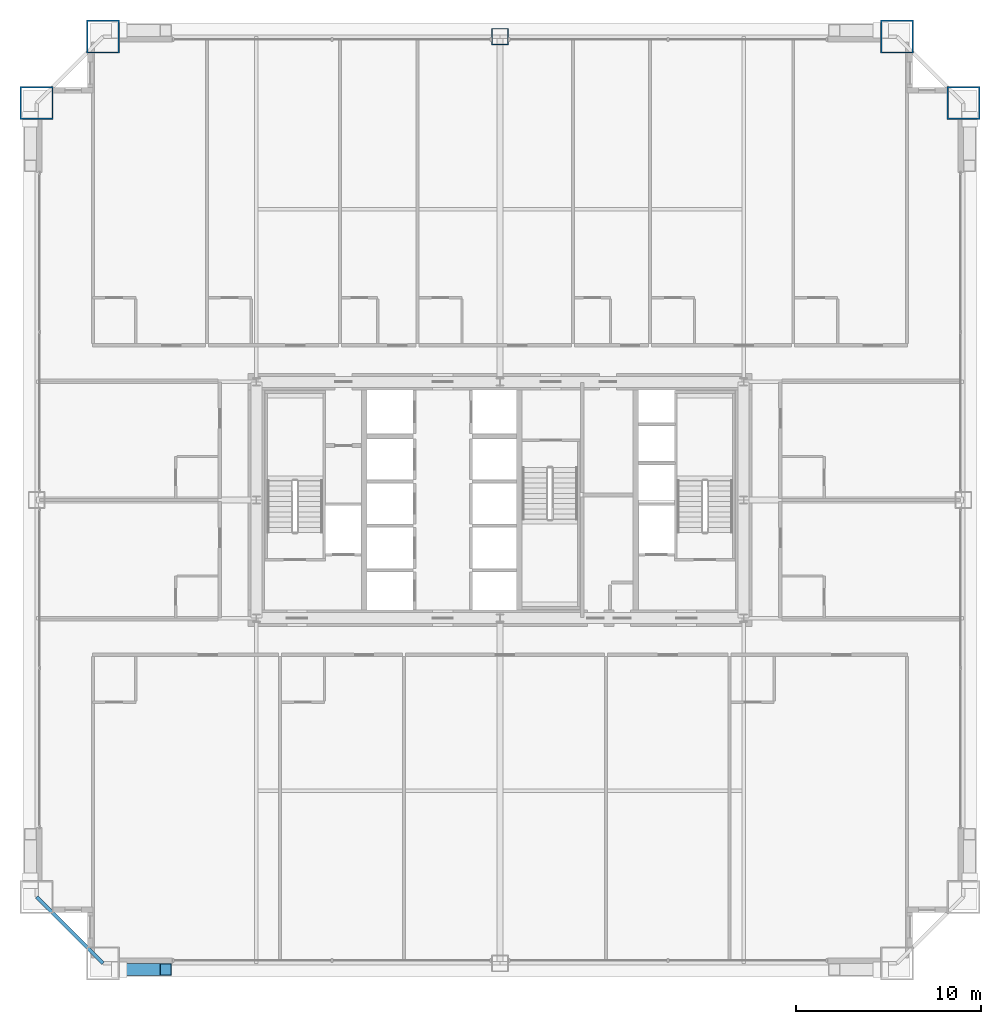
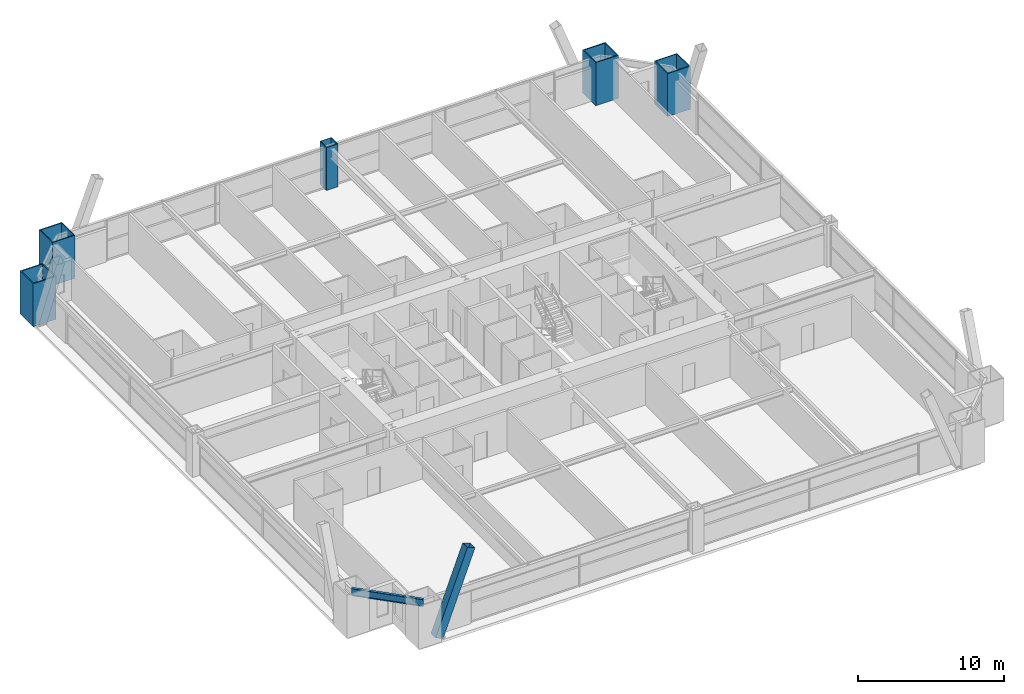
# One storey, part 2 of 43: 5 columns, 1 beam, 1 member.
"""IFC4 building model written with IfcOpenShell, lengths in metres."""

from ifc_helpers import new_model, si_unit, direction, frame, origin, origin_2d, place, context, subcontext, project, spatial, hollow_rectangle, i_section, extrude, source, transform, mapped, material, material_profile, profile_set, type_object, element, save


model = new_model("IFC4")

# Units and contexts
model_context = context("Model", 3, precision=1e-05, world=origin(), true_north=direction((0.0, 1.0)))
body_context = subcontext(model_context, "Body", "Model", "MODEL_VIEW")
ifc_project = project(units=[si_unit("LENGTHUNIT", "METRE"), si_unit("AREAUNIT", "SQUARE_METRE"), si_unit("VOLUMEUNIT", "CUBIC_METRE"), si_unit("PLANEANGLEUNIT", "RADIAN"), si_unit("MASSUNIT", "GRAM", prefix="KILO"), si_unit("THERMODYNAMICTEMPERATUREUNIT", "KELVIN"), si_unit("POWERUNIT", "WATT")], contexts=[model_context])

# Site, building, storey
site_placement = place(None, origin())
site = spatial("IfcSite", under=ifc_project, at=site_placement, CompositionType="ELEMENT")
building_placement = place(site_placement, origin())
building = spatial("IfcBuilding", under=site, at=building_placement, Name="Yuzanri Waterfront Tower", CompositionType="ELEMENT")
storey_placement = place(building_placement, frame((0.0, 0.0, 53.199951171875)))
storey = spatial("IfcBuildingStorey", under=building, at=storey_placement, Name="L13", CompositionType="ELEMENT", Elevation=53.199951171875)

# Columns
ifc_material_1 = material(Name="Steel Q420GJC", Category="steel")
ifc_material_profile_1 = material_profile(ifc_material_1, hollow_rectangle(XDim=1.800048828125, YDim=1.800048828125, WallThickness=0.080078125, at=origin_2d()), Name="RHS 1800x1800x80")
ifc_profile_set_1 = profile_set([ifc_material_profile_1], Name="Steel Q420GJC")
column_type_1 = type_object("IfcColumnType", Name="Mega Column Q420GJC RHS 1800x1800x80", PredefinedType="COLUMN", material=ifc_profile_set_1)
shared_shape_1 = source(origin(), body_context, "Body", "SweptSolid", [
    extrude(hollow_rectangle(XDim=1.800048828125, YDim=1.800048828125, WallThickness=0.080078125, at=origin_2d()), origin(), (0.0, 0.0, 1.0), 3.60009765625),
])
for number, where, z_axis, x_axis, name in (
    (1, (15.5, 50.89990234375, 0.0), (0.0, 0.0, 1.0), (1.0, 0.0, 0.0), "L13 Perimeter Mega Column N1"),
    (2, (58.5, 50.89990234375, 0.0), (0.0, 0.0, 1.0), (1.0, 0.0, 0.0), "L13 Perimeter Mega Column N3"),
    (3, (11.89990234375, 47.300048828125, 0.0), (0.0, 0.0, 1.0), (1.0, 0.0, 0.0), "L13 Perimeter Mega Column W3"),
    (4, (62.10009765625, 47.300048828125, 0.0), (0.0, 0.0, 1.0), (1.0, 0.0, 0.0), "L13 Perimeter Mega Column E3"),
):
    element("IfcColumn", number, at=place(storey_placement, frame(where, z_axis=z_axis, x_axis=x_axis)), inside=storey, type_object=column_type_1, Name=name, PredefinedType="COLUMN", context=body_context, shape_type="MappedRepresentation", body=[
        mapped(shared_shape_1, transform((0.0, 0.0, 0.0), scale=1.0)),
    ])
ifc_material_2 = material(Name="Steel Q390GJC", Category="steel")
ifc_material_profile_2 = material_profile(ifc_material_2, hollow_rectangle(XDim=0.89990234375, YDim=0.89990234375, WallThickness=0.0419921875, at=origin_2d()), Name="RHS 900x900x42")
ifc_profile_set_2 = profile_set([ifc_material_profile_2], Name="Steel Q390GJC")
column_type_2 = type_object("IfcColumnType", Name="Frame Column Q390GJC RHS 900x900x42", PredefinedType="COLUMN", material=ifc_profile_set_2)
shared_shape_2 = source(origin(), body_context, "Body", "SweptSolid", [
    extrude(hollow_rectangle(XDim=0.89990234375, YDim=0.89990234375, WallThickness=0.0419921875, at=origin_2d()), origin(), (0.0, 0.0, 1.0), 3.60009765625),
])
column_placement = place(storey_placement, frame((37.0, 50.89990234375, 0.0), z_axis=(0.0, 0.0, 1.0), x_axis=(1.0, 0.0, 0.0)))
element("IfcColumn", 5, at=column_placement, inside=storey, type_object=column_type_2, Name="L13 Perimeter Frame Column N2", PredefinedType="COLUMN", context=body_context, shape_type="MappedRepresentation", body=[
    mapped(shared_shape_2, transform((0.0, 0.0, 0.0), scale=1.0)),
])

# Beam
ifc_material_3 = material(Name="Steel Q355B", Category="steel")
ifc_material_profile_3 = material_profile(ifc_material_3, i_section(OverallWidth=0.199951171875, OverallDepth=0.60009765625, WebThickness=0.010986328125, FlangeThickness=0.01708984375, at=origin_2d()), Name="HN 600x200x11x17")
ifc_profile_set_3 = profile_set([ifc_material_profile_3], Name="Steel Q355B")
beam_type = type_object("IfcBeamType", Name="Perimeter Spandrel Q355B HN 600x200", PredefinedType="SPANDREL", material=ifc_profile_set_3)
shared_shape_3 = source(origin(), body_context, "Body", "SweptSolid", [
    extrude(i_section(OverallWidth=0.199951171875, OverallDepth=0.60009765625, WebThickness=0.010986328125, FlangeThickness=0.01708984375, at=origin_2d()), origin(), (0.0, 0.0, 1.0), 5.09130859375),
])
beam_placement = place(storey_placement, frame((11.89990234375, 4.300048828125, 3.080078125), z_axis=(0.707106781187, -0.707106781187, 0.0), x_axis=(0.707106781187, 0.707106781187, 0.0)))
element("IfcBeam", 6, at=beam_placement, inside=storey, type_object=beam_type, Name="L13 Perimeter Spandrel W1-S1", PredefinedType="SPANDREL", context=body_context, shape_type="MappedRepresentation", body=[
    mapped(shared_shape_3, transform((0.0, 0.0, 0.0), scale=1.0)),
])

# Member
ifc_material_4 = material(Name="Steel Q420GJC", Category="steel")
ifc_material_profile_4 = material_profile(ifc_material_4, hollow_rectangle(XDim=0.64990234375, YDim=0.64990234375, WallThickness=0.028076171875, at=origin_2d()), Name="RHS 650x650x28")
ifc_profile_set_4 = profile_set([ifc_material_profile_4], Name="Steel Q420GJC")
member_type = type_object("IfcMemberType", Name="Mega Brace Lower Q420GJC RHS 650x650x28", PredefinedType="BRACE", material=ifc_profile_set_4)
shared_shape_4 = source(origin(), body_context, "Body", "SweptSolid", [
    extrude(hollow_rectangle(XDim=0.64990234375, YDim=0.64990234375, WallThickness=0.028076171875, at=origin_2d()), origin(), (0.0, 0.0, 1.0), 7.158447265625),
])
member_placement = place(storey_placement, frame((16.3798828125, 0.360107421875, 0.179931640625), z_axis=(0.352035242291, 0.0, 0.935986745731), x_axis=(0.0, 1.0, 0.0)))
element("IfcMember", 7, at=member_placement, inside=storey, type_object=member_type, Name="L13-L14 Perimeter Mega-Brace S-L", PredefinedType="BRACE", context=body_context, shape_type="MappedRepresentation", body=[
    mapped(shared_shape_4, transform((0.0, 0.0, 0.0), scale=1.0)),
])

save(model, "model.ifc")
